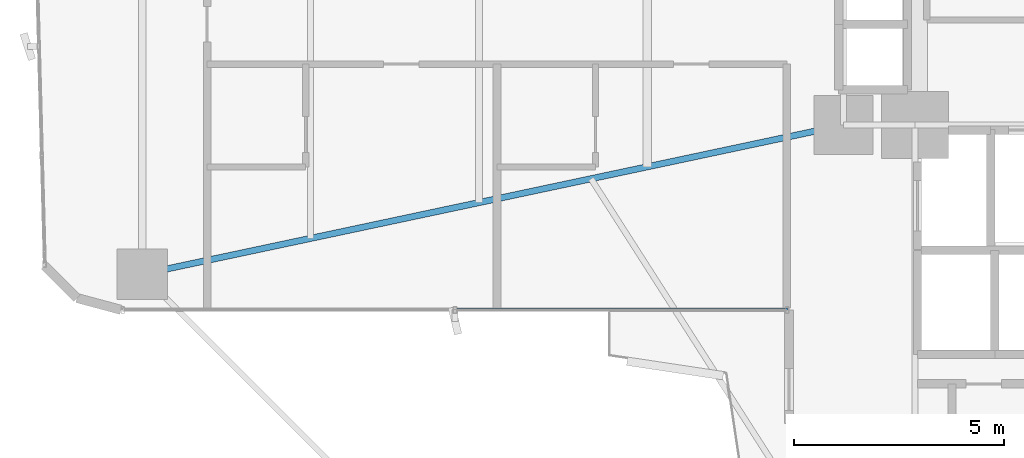
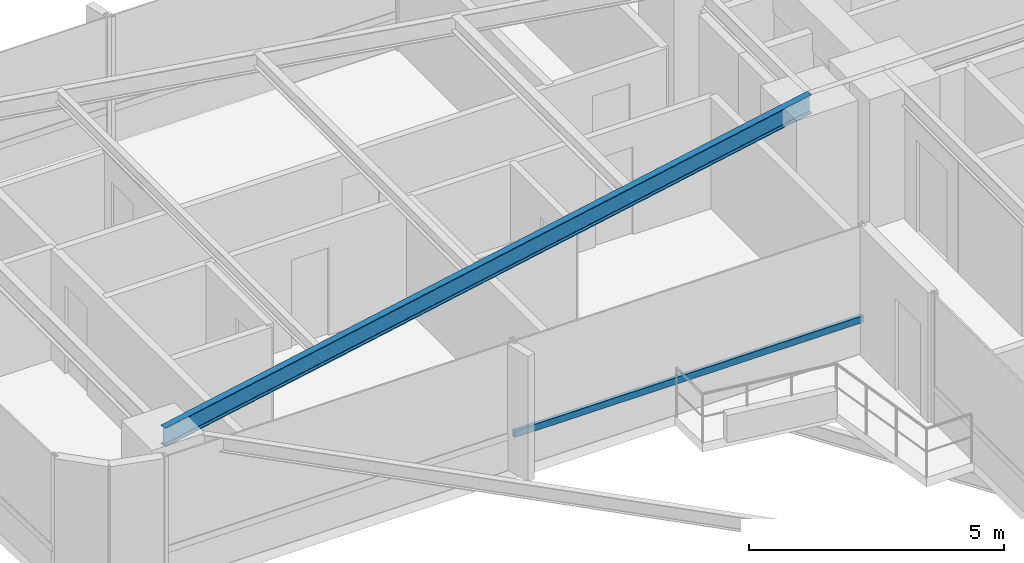
# One storey, part 7 of 26: 1 beam, 1 member, 1 element without a shape of its own.
"""IFC4 building model written with IfcOpenShell, lengths in metres."""

from ifc_helpers import new_model, si_unit, direction, frame, origin, origin_2d, place, context, subcontext, project, spatial, hollow_rectangle, i_section, extrude, source, transform, mapped, material, material_profile, profile_set, type_object, element, aggregate, save


model = new_model("IFC4")

# Units and contexts
model_context = context("Model", 3, precision=1e-05, world=origin(), true_north=direction((0.0, 1.0)))
body_context = subcontext(model_context, "Body", "Model", "MODEL_VIEW")
ifc_project = project(units=[si_unit("LENGTHUNIT", "METRE"), si_unit("AREAUNIT", "SQUARE_METRE"), si_unit("VOLUMEUNIT", "CUBIC_METRE"), si_unit("PLANEANGLEUNIT", "RADIAN"), si_unit("MASSUNIT", "GRAM", prefix="KILO")], contexts=[model_context])

# Site, building, storey
site_placement = place(None, origin())
site = spatial("IfcSite", under=ifc_project, at=site_placement, CompositionType="ELEMENT")
building_placement = place(site_placement, origin())
building = spatial("IfcBuilding", under=site, at=building_placement, Name="Sahyath Konkavel Grand Hotel", CompositionType="ELEMENT")
storey_placement = place(building_placement, frame((0.0, 0.0, 26.449951171875)))
storey = spatial("IfcBuildingStorey", under=building, at=storey_placement, Name="L06", CompositionType="ELEMENT", Elevation=26.449951171875)

# Beam
ifc_material_1 = material(Name="Steel E350", Category="steel")
ifc_material_profile_1 = material_profile(ifc_material_1, i_section(OverallWidth=0.14990234375, OverallDepth=0.449951171875, WebThickness=0.009521484375, FlangeThickness=0.017333984375, FilletRadius=0.014892578125, at=origin_2d()), Name="ISMB 450")
ifc_profile_set_1 = profile_set([ifc_material_profile_1], Name="Steel E350")
beam_type = type_object("IfcBeamType", Name="BM-ISMB450", PredefinedType="BEAM", material=ifc_profile_set_1)
shared_shape_1 = source(origin(), body_context, "Body", "SweptSolid", [
    extrude(i_section(OverallWidth=0.14990234375, OverallDepth=0.449951171875, WebThickness=0.009521484375, FlangeThickness=0.017333984375, FilletRadius=0.014892578125, at=origin_2d()), origin(), (0.0, 0.0, 1.0), 17.072998046875),
])
beam_placement = place(storey_placement, frame((-5.5, -2.39990234375, 2.885009765625), z_axis=(-0.978143257225, -0.20793212437, 0.0), x_axis=(0.20793212437, -0.978143257225, 0.0)))
element("IfcBeam", 1, at=beam_placement, inside=storey, type_object=beam_type, Name="L06 Cruciform Radial Girder WB", PredefinedType="BEAM", context=body_context, shape_type="MappedRepresentation", body=[
    mapped(shared_shape_1, transform((0.0, 0.0, 0.0), scale=1.0)),
])

# Curtain wall, member
ifc_material_2 = material(Name="Anodised Bronze Aluminium & Low-E Glazing", Category="aluminium")
curtain_wall_type = type_object("IfcCurtainWallType", Name="CW-ZONE1", PredefinedType="NOTDEFINED", material=ifc_material_2)
curtain_wall_placement = place(storey_placement, origin())
curtain_wall = element("IfcCurtainWall", 2, at=curtain_wall_placement, inside=storey, type_object=curtain_wall_type, Name="L06 Unitised Curtain Wall F23", PredefinedType="NOTDEFINED")
ifc_material_3 = material(Name="Anodised Bronze Aluminium", Category="aluminium")
ifc_material_profile_2 = material_profile(ifc_material_3, hollow_rectangle(XDim=0.080078125, YDim=0.159912109375, WallThickness=0.006103515625, at=origin_2d()), Name="RHS 160x80x6")
ifc_profile_set_2 = profile_set([ifc_material_profile_2], Name="Anodised Bronze Aluminium")
member_type = type_object("IfcMemberType", Name="CW-TRN-160", PredefinedType="USERDEFINED", material=ifc_profile_set_2)
shared_shape_2 = source(origin(), body_context, "Body", "SweptSolid", [
    extrude(hollow_rectangle(XDim=0.080078125, YDim=0.159912109375, WallThickness=0.006103515625, at=origin_2d()), origin(), (0.0, 0.0, 1.0), 7.909912109375),
])
member_placement = place(storey_placement, frame((-14.75, -6.800048828125, 0.85009765625), z_axis=(1.0, 0.0, 0.0), x_axis=(0.0, 1.0, 0.0)))
member = element("IfcMember", 3, at=member_placement, type_object=member_type, Name="L06 Curtain Wall Transom F23-1-spandrel", ObjectType="TRANSOM", PredefinedType="USERDEFINED", context=body_context, shape_type="MappedRepresentation", body=[
    mapped(shared_shape_2, transform((0.0, 0.0, 0.0), scale=1.0)),
])
aggregate(curtain_wall, [member])

save(model, "model.ifc")
